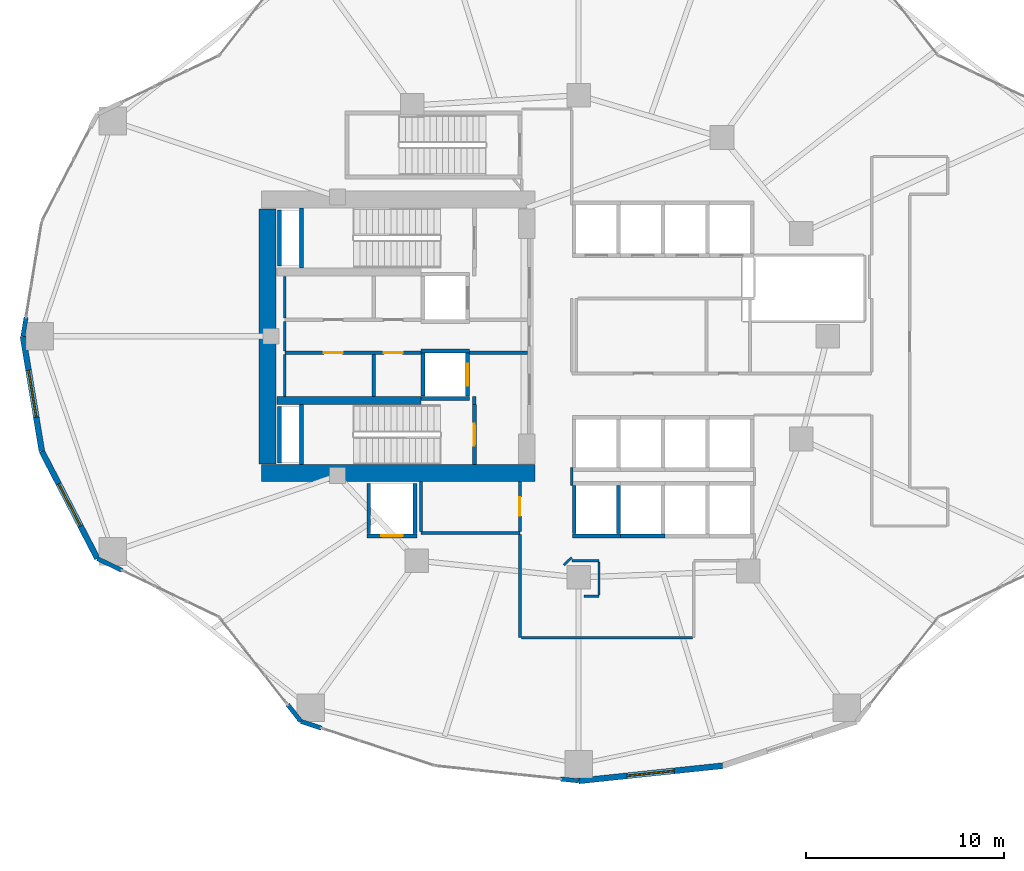
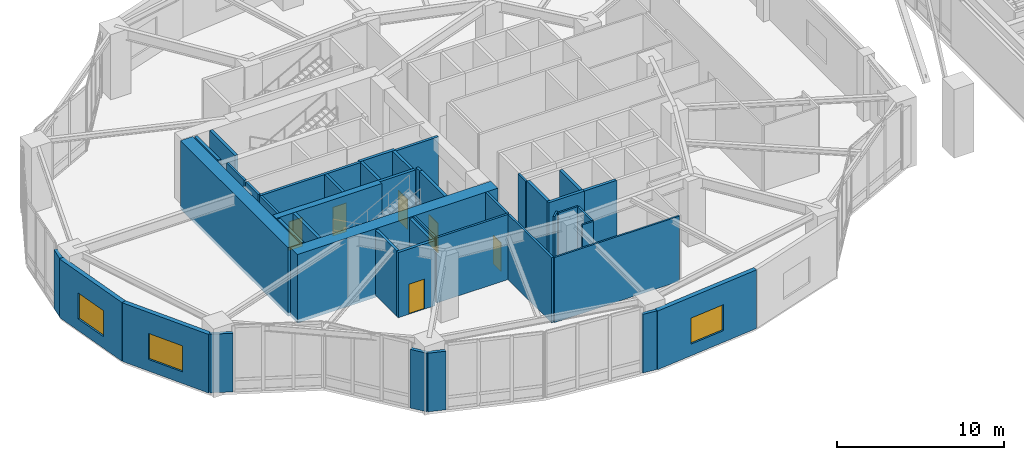
# One storey, part 14 of 24: 44 walls, 6 doors, 3 windows, 9 openings.
"""IFC4 building model written with IfcOpenShell, lengths in metres."""

from ifc_helpers import new_model, si_unit, direction, frame, frame_2d, origin, place, context, subcontext, project, spatial, rectangle, extrude, material, layer, layer_set, type_object, element, fill, save


model = new_model("IFC4")

# Units and contexts
model_context = context("Model", 3, precision=1e-05, world=origin(), true_north=direction((0.0, 1.0)))
body_context = subcontext(model_context, "Body", "Model", "MODEL_VIEW")
ifc_project = project(units=[si_unit("LENGTHUNIT", "METRE"), si_unit("AREAUNIT", "SQUARE_METRE"), si_unit("VOLUMEUNIT", "CUBIC_METRE"), si_unit("PLANEANGLEUNIT", "RADIAN"), si_unit("MASSUNIT", "GRAM", prefix="KILO")], contexts=[model_context])

# Site, building, storey
site_placement = place(None, origin())
site = spatial("IfcSite", under=ifc_project, at=site_placement, CompositionType="ELEMENT")
building_placement = place(site_placement, origin())
building = spatial("IfcBuilding", under=site, at=building_placement, Name="Kolvaren Gate Tower and Convention Centre", CompositionType="ELEMENT")
storey_placement = place(building_placement, frame((0.0, 0.0, 10.0)))
storey = spatial("IfcBuildingStorey", under=building, at=storey_placement, Name="L02", CompositionType="ELEMENT", Elevation=10.0)

# Wall
ifc_material_1 = material(Name="Autoclaved Aerated Masonry Blockwork Class 4 (4.0 MPa)", Category="masonry")
ifc_layer_1 = layer(ifc_material_1, 0.179931640625)
ifc_layer_set_1 = layer_set([ifc_layer_1], Name="Autoclaved Aerated Masonry Blockwork Class 4 (4.0 MPa)")
wall_type_1 = type_object("IfcWallType", Name="ARCH-WL-COMP-180", PredefinedType="SOLIDWALL", material=ifc_layer_set_1)
wall_1_placement = place(storey_placement, frame((24.85009765625, 23.5400390625, 0.0), z_axis=(0.0, 0.0, 1.0), x_axis=(0.0, 1.0, 0.0)))
element("IfcWall", 1, at=wall_1_placement, inside=storey, type_object=wall_type_1, Name="Interior Partition WL-L02-INT-001", PredefinedType="SOLIDWALL", context=body_context, shape_type="SweptSolid", body=[
    extrude(rectangle(XDim=0.419921875, YDim=0.179931640625, at=frame_2d((0.2099609375, 0.0))), origin(), (0.0, 0.0, 1.0), 4.760009765625),
])

# Wall, openings, doors
wall_2_placement = place(storey_placement, frame((15.25, 26.159912109375, 0.0), z_axis=(0.0, 0.0, 1.0), x_axis=(1.0, 0.0, 0.0)))
wall_2 = element("IfcWall", 2, at=wall_2_placement, inside=storey, type_object=wall_type_1, Name="Interior Partition WL-L02-INT-005", PredefinedType="SOLIDWALL", context=body_context, shape_type="SweptSolid", body=[
    extrude(rectangle(XDim=6.89990234375, YDim=0.179931640625, at=frame_2d((3.449951171875, 0.0))), origin(), (0.0, 0.0, 1.0), 4.760009765625),
])
opening_1_placement = place(wall_2_placement, frame((5.02001953125, 0.0, 0.0)))
opening_1 = element("IfcOpeningElement", 3, at=opening_1_placement, cuts=wall_2, Name="Opening DR-01", PredefinedType="OPENING", context=body_context, shape_type="SweptSolid", body=[
    extrude(rectangle(XDim=0.949951171875, YDim=2.10009765625, at=frame_2d((0.47509765625, 1.050048828125))), frame((0.0, 0.099853515625, 0.0), z_axis=(0.0, -1.0, 0.0), x_axis=(1.0, 0.0, 0.0)), (0.0, 0.0, 1.0), 0.199951171875),
])
opening_2_placement = place(wall_2_placement, frame((1.97998046875, 0.0, 0.0)))
opening_2 = element("IfcOpeningElement", 4, at=opening_2_placement, cuts=wall_2, Name="Opening DR-01", PredefinedType="OPENING", context=body_context, shape_type="SweptSolid", body=[
    extrude(rectangle(XDim=0.949951171875, YDim=2.10009765625, at=frame_2d((0.47509765625, 1.050048828125))), frame((0.0, 0.099853515625, 0.0), z_axis=(0.0, -1.0, 0.0), x_axis=(1.0, 0.0, 0.0)), (0.0, 0.0, 1.0), 0.199951171875),
])
ifc_material_2 = material(Name="Painted Architectural Steelwork ASTM A500 Grade C 345 MPa", Category="steel")
door_type_1 = type_object("IfcDoorType", Name="ARCH-DR-RISER-950", OperationType="SINGLE_SWING_RIGHT", PredefinedType="DOOR", material=ifc_material_2)
door_1_placement = place(opening_1_placement, origin())
door_1 = element("IfcDoor", 5, at=door_1_placement, inside=storey, type_object=door_type_1, Name="Domestic Water Meter Closet Door", OperationType="SINGLE_SWING_LEFT", OverallHeight=2.10009765625, OverallWidth=0.949951171875, PredefinedType="DOOR", context=body_context, shape_type="SweptSolid", body=[
    extrude(rectangle(XDim=0.949951171875, YDim=2.10009765625, at=frame_2d((0.47509765625, 1.050048828125))), frame((0.0, 0.02490234375, 0.0), z_axis=(0.0, -1.0, 0.0), x_axis=(1.0, 0.0, 0.0)), (0.0, 0.0, 1.0), 0.050048828125),
])
fill(opening_1, door_1)
door_2_placement = place(opening_2_placement, origin())
door_2 = element("IfcDoor", 6, at=door_2_placement, inside=storey, type_object=door_type_1, Name="Janitor Equipment Store Door", OperationType="SINGLE_SWING_LEFT", OverallHeight=2.10009765625, OverallWidth=0.949951171875, PredefinedType="DOOR", context=body_context, shape_type="SweptSolid", body=[
    extrude(rectangle(XDim=0.949951171875, YDim=2.10009765625, at=frame_2d((0.47509765625, 1.050048828125))), frame((0.0, 0.02490234375, 0.0), z_axis=(0.0, -1.0, 0.0), x_axis=(1.0, 0.0, 0.0)), (0.0, 0.0, 1.0), 0.050048828125),
])
fill(opening_2, door_2)

# Walls
wall_3_placement = place(storey_placement, frame((24.60009765625, 26.159912109375, 0.0), z_axis=(0.0, 0.0, 1.0), x_axis=(1.0, 0.0, 0.0)))
element("IfcWall", 7, at=wall_3_placement, inside=storey, type_object=wall_type_1, Name="Interior Partition WL-L02-INT-005 (2)", PredefinedType="SOLIDWALL", context=body_context, shape_type="SweptSolid", body=[
    extrude(rectangle(XDim=2.927978515625, YDim=0.179931640625, at=frame_2d((1.4638671875, 0.0))), origin(), (0.0, 0.0, 1.0), 4.760009765625),
])
wall_4_placement = place(storey_placement, frame((19.75, 23.9619140625, 0.0), z_axis=(0.0, 0.0, 1.0), x_axis=(0.0, 1.0, 0.0)))
element("IfcWall", 8, at=wall_4_placement, inside=storey, type_object=wall_type_1, Name="Interior Partition WL-L02-INT-007", PredefinedType="SOLIDWALL", context=body_context, shape_type="SweptSolid", body=[
    extrude(rectangle(XDim=2.106201171875, YDim=0.179931640625, at=frame_2d((1.05322265625, 0.0))), origin(), (0.0, 0.0, 1.0), 4.760009765625),
])
ifc_material_3 = material(Name="Fire-Rated Acoustic Gypsum Stud Partition", Category="gypsum")
ifc_layer_2 = layer(ifc_material_3, 0.1201171875)
ifc_layer_set_2 = layer_set([ifc_layer_2], Name="Fire-Rated Acoustic Gypsum Stud Partition")
wall_type_2 = type_object("IfcWallType", Name="ARCH-WL-PART-120", PredefinedType="PARTITIONING", material=ifc_layer_set_2)
wall_5_placement = place(storey_placement, frame((29.780029296875, 15.64990234375, 0.0), z_axis=(0.0, 0.0, 1.0), x_axis=(1.0, 0.0, 0.0)))
element("IfcWall", 9, at=wall_5_placement, inside=storey, type_object=wall_type_2, Name="Interior Partition WL-L02-INT-017", PredefinedType="PARTITIONING", context=body_context, shape_type="SweptSolid", body=[
    extrude(rectangle(XDim=1.369873046875, YDim=0.1201171875, at=frame_2d((0.68505859375, 0.0))), origin(), (0.0, 0.0, 1.0), 4.760009765625),
])
wall_6_placement = place(storey_placement, frame((27.22705078125, 11.75, 0.0), z_axis=(0.0, 0.0, 1.0), x_axis=(1.0, 0.0, 0.0)))
element("IfcWall", 10, at=wall_6_placement, inside=storey, type_object=wall_type_2, Name="Interior Partition WL-L02-INT-020", PredefinedType="PARTITIONING", context=body_context, shape_type="SweptSolid", body=[
    extrude(rectangle(XDim=8.660888671875, YDim=0.1201171875, at=frame_2d((4.33056640625, 0.0))), origin(), (0.0, 0.0, 1.0), 4.760009765625),
])
wall_7_placement = place(storey_placement, frame((29.780029296875, 19.43994140625, 0.0), z_axis=(0.0, 0.0, 1.0), x_axis=(0.0, 1.0, 0.0)))
element("IfcWall", 11, at=wall_7_placement, inside=storey, type_object=wall_type_2, Name="Interior Partition WL-L02-INT-023", PredefinedType="PARTITIONING", context=body_context, shape_type="SweptSolid", body=[
    extrude(rectangle(XDim=0.920166015625, YDim=0.1201171875, at=frame_2d((0.4599609375, 0.0))), origin(), (0.0, 0.0, 1.0), 4.760009765625),
])
wall_8_placement = place(storey_placement, frame((29.366943359375, 15.422119140625, 0.0), z_axis=(0.0, 0.0, 1.0), x_axis=(0.730667420492, 0.682733564893, 0.0)))
element("IfcWall", 12, at=wall_8_placement, inside=storey, type_object=wall_type_2, Name="Interior Partition WL-L02-INT-040", PredefinedType="PARTITIONING", context=body_context, shape_type="SweptSolid", body=[
    extrude(rectangle(XDim=0.5654296875, YDim=0.1201171875, at=frame_2d((0.28271484375, 0.0))), origin(), (0.0, 0.0, 1.0), 4.760009765625),
])
wall_9_placement = place(storey_placement, frame((30.39111328125, 13.85009765625, 0.0), z_axis=(0.0, 0.0, 1.0), x_axis=(1.0, 0.0, 0.0)))
element("IfcWall", 13, at=wall_9_placement, inside=storey, type_object=wall_type_2, Name="Interior Partition WL-L02-INT-041", PredefinedType="PARTITIONING", context=body_context, shape_type="SweptSolid", body=[
    extrude(rectangle(XDim=0.7587890625, YDim=0.1201171875, at=frame_2d((0.37939453125, 0.0))), origin(), (0.0, 0.0, 1.0), 4.760009765625),
])
wall_10_placement = place(storey_placement, frame((31.14990234375, 13.912109375, 0.0), z_axis=(0.0, 0.0, 1.0), x_axis=(0.0, 1.0, 0.0)))
element("IfcWall", 14, at=wall_10_placement, inside=storey, type_object=wall_type_2, Name="Interior Partition WL-L02-INT-042", PredefinedType="PARTITIONING", context=body_context, shape_type="SweptSolid", body=[
    extrude(rectangle(XDim=1.67578125, YDim=0.1201171875, at=frame_2d((0.837890625, 0.0))), origin(), (0.0, 0.0, 1.0), 4.760009765625),
])
ifc_material_4 = material(Name="Bogota Sabana Bush-Hammered Sandstone Cladding", Category="masonry")
ifc_layer_3 = layer(ifc_material_4, 0.219970703125)
ifc_layer_set_3 = layer_set([ifc_layer_3], Name="Bogota Sabana Bush-Hammered Sandstone Cladding")
wall_type_3 = type_object("IfcWallType", Name="ARCH-WL-PIER-220", PredefinedType="SOLIDWALL", material=ifc_layer_set_3)
wall_11_placement = place(storey_placement, frame((2.0, 27.0, 0.0), z_axis=(0.0, 0.0, 1.0), x_axis=(0.162253212939, 0.986749154999, 0.0)))
element("IfcWall", 15, at=wall_11_placement, inside=storey, type_object=wall_type_3, Name="Tower L02 Unitised Curtain Wall CW-POD-GLZ Bay 11 Left Column Pier Wrap", PredefinedType="SOLIDWALL", context=body_context, shape_type="SweptSolid", body=[
    extrude(rectangle(XDim=0.97802734375, YDim=0.219970703125, at=frame_2d((0.489013671875, 0.0))), origin(), (0.0, 0.0, 1.0), 4.282958984375),
])
wall_12_placement = place(storey_placement, frame((5.76806640625, 15.75, 0.0), z_axis=(0.0, 0.0, 1.0), x_axis=(0.90131879969, -0.433156347438, 0.0)))
element("IfcWall", 16, at=wall_12_placement, inside=storey, type_object=wall_type_3, Name="Tower L02 Unitised Curtain Wall CW-POD-GLZ Bay 14 Left Column Pier Wrap", PredefinedType="SOLIDWALL", context=body_context, shape_type="SweptSolid", body=[
    extrude(rectangle(XDim=1.380859375, YDim=0.219970703125, at=frame_2d((0.6904296875, 0.0))), origin(), (0.0, 0.0, 1.0), 4.282958984375),
])
wall_13_placement = place(storey_placement, frame((15.39892578125, 8.36181640625, 0.0), z_axis=(0.0, 0.0, 1.0), x_axis=(0.616528421162, -0.787332652632, 0.0)))
element("IfcWall", 17, at=wall_13_placement, inside=storey, type_object=wall_type_3, Name="Tower L02 Unitised Curtain Wall CW-POD-GLZ Bay 15 Right Column Pier Wrap", PredefinedType="SOLIDWALL", context=body_context, shape_type="SweptSolid", body=[
    extrude(rectangle(XDim=1.076416015625, YDim=0.219970703125, at=frame_2d((0.5380859375, 0.0))), origin(), (0.0, 0.0, 1.0), 4.282958984375),
])
wall_14_placement = place(storey_placement, frame((16.0625, 7.514404296875, 0.0), z_axis=(0.0, 0.0, 1.0), x_axis=(0.949217086672, -0.314621872045, 0.0)))
element("IfcWall", 18, at=wall_14_placement, inside=storey, type_object=wall_type_3, Name="Tower L02 Unitised Curtain Wall CW-POD-GLZ Bay 16 Left Column Pier Wrap", PredefinedType="SOLIDWALL", context=body_context, shape_type="SweptSolid", body=[
    extrude(rectangle(XDim=1.094970703125, YDim=0.219970703125, at=frame_2d((0.54736328125, 0.0))), origin(), (0.0, 0.0, 1.0), 4.282958984375),
])
wall_15_placement = place(storey_placement, frame((29.201416015625, 4.597412109375, 0.0), z_axis=(0.0, 0.0, 1.0), x_axis=(0.994483824972, -0.104890046567, 0.0)))
element("IfcWall", 19, at=wall_15_placement, inside=storey, type_object=wall_type_3, Name="Tower L02 Unitised Curtain Wall CW-POD-GLZ Bay 17 Right Column Pier Wrap", PredefinedType="SOLIDWALL", context=body_context, shape_type="SweptSolid", body=[
    extrude(rectangle(XDim=0.9287109375, YDim=0.219970703125, at=frame_2d((0.46435546875, 0.0))), origin(), (0.0, 0.0, 1.0), 4.282958984375),
])
ifc_layer_4 = layer(ifc_material_1, 0.199951171875)
ifc_layer_set_4 = layer_set([ifc_layer_4], Name="Autoclaved Aerated Masonry Blockwork Class 4 (4.0 MPa)")
wall_type_4 = type_object("IfcWallType", Name="ARCH-WL-SHAFT-200", PredefinedType="SOLIDWALL", material=ifc_layer_set_4)
for number, where, z_axis, x_axis, name in (
    (20, (22.14990234375, 26.260009765625, 0.0), (0.0, 0.0, 1.0), (1.0, 0.0, 0.0), "Elevator FF-02 L02 Fire Shaft Wall N"),
    (21, (22.14990234375, 23.860107421875, 0.0), (0.0, 0.0, 1.0), (1.0, 0.0, 0.0), "Elevator FF-02 L02 Fire Shaft Wall S"),
):
    element("IfcWall", number, at=place(storey_placement, frame(where, z_axis=z_axis, x_axis=x_axis)), inside=storey, type_object=wall_type_4, Name=name, PredefinedType="SOLIDWALL", context=body_context, shape_type="SweptSolid", body=[
        extrude(rectangle(XDim=2.4501953125, YDim=0.199951171875, at=frame_2d((1.22509765625, 0.0))), origin(), (0.0, 0.0, 1.0), 4.760009765625),
    ])
wall_16_placement = place(storey_placement, frame((22.25, 23.969970703125, 0.0), z_axis=(0.0, 0.0, 1.0), x_axis=(0.0, 1.0, 0.0)))
element("IfcWall", 22, at=wall_16_placement, inside=storey, type_object=wall_type_4, Name="Elevator FF-02 L02 Fire Shaft Wall W", PredefinedType="SOLIDWALL", context=body_context, shape_type="SweptSolid", body=[
    extrude(rectangle(XDim=2.179931640625, YDim=0.199951171875, at=frame_2d((1.08984375, 0.0))), origin(), (0.0, 0.0, 1.0), 4.760009765625),
])

# Wall, opening, door
wall_17_placement = place(storey_placement, frame((24.5, 23.969970703125, 0.0), z_axis=(0.0, 0.0, 1.0), x_axis=(0.0, 1.0, 0.0)))
wall_17 = element("IfcWall", 23, at=wall_17_placement, inside=storey, type_object=wall_type_4, Name="Elevator FF-02 L02 Fire Shaft Wall E", PredefinedType="SOLIDWALL", context=body_context, shape_type="SweptSolid", body=[
    extrude(rectangle(XDim=2.179931640625, YDim=0.199951171875, at=frame_2d((1.08984375, 0.0))), origin(), (0.0, 0.0, 1.0), 4.760009765625),
])
opening_3_placement = place(wall_17_placement, frame((0.5400390625, 0.0, 0.0)))
opening_3 = element("IfcOpeningElement", 24, at=opening_3_placement, cuts=wall_17, Name="Opening LD", PredefinedType="OPENING", context=body_context, shape_type="SweptSolid", body=[
    extrude(rectangle(XDim=1.10009765625, YDim=2.199951171875, at=frame_2d((0.550048828125, 1.10009765625))), frame((0.0, 0.10986328125, 0.0), z_axis=(0.0, -1.0, 0.0), x_axis=(1.0, 0.0, 0.0)), (0.0, 0.0, 1.0), 0.219970703125),
])
ifc_material_5 = material(Name="Brushed Stainless Steel Grade 316L", Category="steel")
door_type_2 = type_object("IfcDoorType", Name="ARCH-DR-LIFT-1100", OperationType="SLIDING_TO_LEFT", PredefinedType="DOOR", material=ifc_material_5)
door_3_placement = place(opening_3_placement, origin())
door_3 = element("IfcDoor", 25, at=door_3_placement, inside=storey, type_object=door_type_2, Name="Elevator FF-02 L02 Sliding Landing Door", OperationType="SLIDING_TO_LEFT", OverallHeight=2.199951171875, OverallWidth=1.10009765625, PredefinedType="DOOR", context=body_context, shape_type="SweptSolid", body=[
    extrude(rectangle(XDim=1.10009765625, YDim=2.199951171875, at=frame_2d((0.550048828125, 1.10009765625))), frame((0.0, 0.02490234375, 0.0), z_axis=(0.0, -1.0, 0.0), x_axis=(1.0, 0.0, 0.0)), (0.0, 0.0, 1.0), 0.050048828125),
])
fill(opening_3, door_3)

wall_18_placement = place(storey_placement, frame((19.39990234375, 16.89990234375, 0.0), z_axis=(0.0, 0.0, 1.0), x_axis=(1.0, 0.0, 0.0)))
wall_18 = element("IfcWall", 26, at=wall_18_placement, inside=storey, type_object=wall_type_4, Name="Elevator SV-01 L02 Fire Shaft Wall S", PredefinedType="SOLIDWALL", context=body_context, shape_type="SweptSolid", body=[
    extrude(rectangle(XDim=2.550048828125, YDim=0.199951171875, at=frame_2d((1.27490234375, 0.0))), origin(), (0.0, 0.0, 1.0), 4.760009765625),
])
opening_4_placement = place(wall_18_placement, frame((0.72509765625, 0.0, 0.0)))
opening_4 = element("IfcOpeningElement", 27, at=opening_4_placement, cuts=wall_18, Name="Opening LD", PredefinedType="OPENING", context=body_context, shape_type="SweptSolid", body=[
    extrude(rectangle(XDim=1.10009765625, YDim=2.199951171875, at=frame_2d((0.550048828125, 1.10009765625))), frame((0.0, 0.10986328125, 0.0), z_axis=(0.0, -1.0, 0.0), x_axis=(1.0, 0.0, 0.0)), (0.0, 0.0, 1.0), 0.219970703125),
])
door_4_placement = place(opening_4_placement, origin())
door_4 = element("IfcDoor", 28, at=door_4_placement, inside=storey, type_object=door_type_2, Name="Elevator SV-01 L02 Sliding Landing Door", OperationType="SLIDING_TO_LEFT", OverallHeight=2.199951171875, OverallWidth=1.10009765625, PredefinedType="DOOR", context=body_context, shape_type="SweptSolid", body=[
    extrude(rectangle(XDim=1.10009765625, YDim=2.199951171875, at=frame_2d((0.550048828125, 1.10009765625))), frame((0.0, 0.02490234375, 0.0), z_axis=(0.0, -1.0, 0.0), x_axis=(1.0, 0.0, 0.0)), (0.0, 0.0, 1.0), 0.050048828125),
])
fill(opening_4, door_4)

# Walls
for number, where, z_axis, x_axis, name in (
    (29, (19.5, 17.010009765625, 0.0), (0.0, 0.0, 1.0), (0.0, 1.0, 0.0), "Elevator SV-01 L02 Fire Shaft Wall W"),
    (30, (21.85009765625, 17.010009765625, 0.0), (0.0, 0.0, 1.0), (0.0, 1.0, 0.0), "Elevator SV-01 L02 Fire Shaft Wall E"),
):
    element("IfcWall", number, at=place(storey_placement, frame(where, z_axis=z_axis, x_axis=x_axis)), inside=storey, type_object=wall_type_4, Name=name, PredefinedType="SOLIDWALL", context=body_context, shape_type="SweptSolid", body=[
        extrude(rectangle(XDim=2.530029296875, YDim=0.199951171875, at=frame_2d((1.26513671875, 0.0))), origin(), (0.0, 0.0, 1.0), 4.760009765625),
    ])
wall_19_placement = place(storey_placement, frame((29.800048828125, 16.89990234375, 0.0), z_axis=(0.0, 0.0, 1.0), x_axis=(1.0, 0.0, 0.0)))
element("IfcWall", 31, at=wall_19_placement, inside=storey, type_object=wall_type_4, Name="Elevator PL-05 L02 Fire Shaft Wall S", PredefinedType="SOLIDWALL", context=body_context, shape_type="SweptSolid", body=[
    extrude(rectangle(XDim=2.449951171875, YDim=0.199951171875, at=frame_2d((1.22509765625, 0.0))), origin(), (0.0, 0.0, 1.0), 4.760009765625),
])
for number, where, z_axis, x_axis, name in (
    (32, (29.89990234375, 17.010009765625, 0.0), (0.0, 0.0, 1.0), (0.0, 1.0, 0.0), "Elevator PL-05 L02 Fire Shaft Wall W"),
    (33, (32.14990234375, 17.010009765625, 0.0), (0.0, 0.0, 1.0), (0.0, 1.0, 0.0), "Elevator PL-05 L02 Fire Shaft Wall E"),
):
    element("IfcWall", number, at=place(storey_placement, frame(where, z_axis=z_axis, x_axis=x_axis)), inside=storey, type_object=wall_type_4, Name=name, PredefinedType="SOLIDWALL", context=body_context, shape_type="SweptSolid", body=[
        extrude(rectangle(XDim=2.429931640625, YDim=0.199951171875, at=frame_2d((1.21484375, 0.0))), origin(), (0.0, 0.0, 1.0), 4.760009765625),
    ])
wall_20_placement = place(storey_placement, frame((32.25, 16.89990234375, 0.0), z_axis=(0.0, 0.0, 1.0), x_axis=(1.0, 0.0, 0.0)))
element("IfcWall", 34, at=wall_20_placement, inside=storey, type_object=wall_type_4, Name="Elevator PL-06 L02 Fire Shaft Wall S", PredefinedType="SOLIDWALL", context=body_context, shape_type="SweptSolid", body=[
    extrude(rectangle(XDim=2.25, YDim=0.199951171875, at=frame_2d((1.125, 0.0))), origin(), (0.0, 0.0, 1.0), 4.760009765625),
])
for number, where, z_axis, x_axis, name in (
    (35, (14.989990234375, 30.550048828125, 0.0), (0.0, 0.0, 1.0), (0.0, 1.0, 0.0), "Vertical Shaft HVR L02 EI-120 Enclosure Wall W"),
    (36, (14.989990234375, 20.60009765625, 0.0), (0.0, 0.0, 1.0), (0.0, 1.0, 0.0), "Vertical Shaft MPR L02 EI-120 Enclosure Wall W"),
):
    element("IfcWall", number, at=place(storey_placement, frame(where, z_axis=z_axis, x_axis=x_axis)), inside=storey, type_object=wall_type_4, Name=name, PredefinedType="SOLIDWALL", context=body_context, shape_type="SweptSolid", body=[
        extrude(rectangle(XDim=2.849853515625, YDim=0.199951171875, at=frame_2d((1.4248046875, 0.0))), origin(), (0.0, 0.0, 1.0), 4.760009765625),
    ])

# Wall, opening, window
ifc_material_6 = material(Name="Piedmont Cream Honed Limestone Cladding", Category="masonry")
ifc_layer_5 = layer(ifc_material_6, 0.300048828125)
ifc_layer_set_5 = layer_set([ifc_layer_5], Name="Piedmont Cream Honed Limestone Cladding")
wall_type_5 = type_object("IfcWallType", Name="ARCH-WL-STONE-300", PredefinedType="SOLIDWALL", material=ifc_layer_set_5)
wall_21_placement = place(storey_placement, frame((2.0, 27.0, 0.0), z_axis=(0.0, 0.0, 1.0), x_axis=(0.162366057843, -0.98673059305, 0.0)))
wall_21 = element("IfcWall", 37, at=wall_21_placement, inside=storey, type_object=wall_type_5, Name="Tower L02 Honed Stone Spandrel Wall EW-12", PredefinedType="SOLIDWALL", context=body_context, shape_type="SweptSolid", body=[
    extrude(rectangle(XDim=5.90185546875, YDim=0.300048828125, at=frame_2d((2.950927734375, 0.0))), origin(), (0.0, 0.0, 1.0), 4.282958984375),
])
opening_5_placement = place(wall_21_placement, frame((1.7509765625, 0.0, 0.85009765625)))
opening_5 = element("IfcOpeningElement", 38, at=opening_5_placement, cuts=wall_21, Name="Opening W-01", PredefinedType="OPENING", context=body_context, shape_type="SweptSolid", body=[
    extrude(rectangle(XDim=2.39990234375, YDim=1.89990234375, at=frame_2d((1.199951171875, 0.949951171875))), frame((0.0, 0.159912109375, 0.0), z_axis=(0.0, -1.0, 0.0), x_axis=(1.0, 0.0, 0.0)), (0.0, 0.0, 1.0), 0.320068359375),
])
ifc_material_7 = material(Name="Low-E Triple Insulated Glazing Unit 44 mm", Category="glass")
window_type = type_object("IfcWindowType", Name="ARCH-WN-OFF-2400", PartitioningType="SINGLE_PANEL", PredefinedType="WINDOW", material=ifc_material_7)
window_1_placement = place(opening_5_placement, origin())
window_1 = element("IfcWindow", 39, at=window_1_placement, inside=storey, type_object=window_type, Name="Tower L02 Punched Stone Facade Window W-12", OverallHeight=1.89990234375, OverallWidth=2.39990234375, PartitioningType="SINGLE_PANEL", PredefinedType="WINDOW", context=body_context, shape_type="SweptSolid", body=[
    extrude(rectangle(XDim=2.39990234375, YDim=1.89990234375, at=frame_2d((1.199951171875, 0.949951171875))), frame((0.0, 0.030029296875, 0.0), z_axis=(0.0, -1.0, 0.0), x_axis=(1.0, 0.0, 0.0)), (0.0, 0.0, 1.0), 0.06005859375),
])
fill(opening_5, window_1)

wall_22_placement = place(storey_placement, frame((2.958251953125, 21.176513671875, 0.0), z_axis=(0.0, 0.0, 1.0), x_axis=(0.459809804413, -0.88801742312, 0.0)))
wall_22 = element("IfcWall", 40, at=wall_22_placement, inside=storey, type_object=wall_type_5, Name="Tower L02 Honed Stone Spandrel Wall EW-13", PredefinedType="SOLIDWALL", context=body_context, shape_type="SweptSolid", body=[
    extrude(rectangle(XDim=6.11083984375, YDim=0.300048828125, at=frame_2d((3.055419921875, 0.0))), origin(), (0.0, 0.0, 1.0), 4.282958984375),
])
opening_6_placement = place(wall_22_placement, frame((1.85498046875, 0.0, 0.85009765625)))
opening_6 = element("IfcOpeningElement", 41, at=opening_6_placement, cuts=wall_22, Name="Opening W-01", PredefinedType="OPENING", context=body_context, shape_type="SweptSolid", body=[
    extrude(rectangle(XDim=2.39990234375, YDim=1.89990234375, at=frame_2d((1.199951171875, 0.949951171875))), frame((0.0, 0.159912109375, 0.0), z_axis=(0.0, -1.0, 0.0), x_axis=(1.0, 0.0, 0.0)), (0.0, 0.0, 1.0), 0.320068359375),
])
window_2_placement = place(opening_6_placement, origin())
window_2 = element("IfcWindow", 42, at=window_2_placement, inside=storey, type_object=window_type, Name="Tower L02 Punched Stone Facade Window W-13", OverallHeight=1.89990234375, OverallWidth=2.39990234375, PartitioningType="SINGLE_PANEL", PredefinedType="WINDOW", context=body_context, shape_type="SweptSolid", body=[
    extrude(rectangle(XDim=2.39990234375, YDim=1.89990234375, at=frame_2d((1.199951171875, 0.949951171875))), frame((0.0, 0.030029296875, 0.0), z_axis=(0.0, -1.0, 0.0), x_axis=(1.0, 0.0, 0.0)), (0.0, 0.0, 1.0), 0.06005859375),
])
fill(opening_6, window_2)

wall_23_placement = place(storey_placement, frame((30.125, 4.5, 0.0), z_axis=(0.0, 0.0, 1.0), x_axis=(0.994500334317, 0.104733399844, 0.0)))
wall_23 = element("IfcWall", 43, at=wall_23_placement, inside=storey, type_object=wall_type_5, Name="Tower L02 Honed Stone Spandrel Wall EW-18", PredefinedType="SOLIDWALL", context=body_context, shape_type="SweptSolid", body=[
    extrude(rectangle(XDim=7.319580078125, YDim=0.300048828125, at=frame_2d((3.65966796875, 0.0))), origin(), (0.0, 0.0, 1.0), 4.282958984375),
])
opening_7_placement = place(wall_23_placement, frame((2.4599609375, 0.0, 0.85009765625)))
opening_7 = element("IfcOpeningElement", 44, at=opening_7_placement, cuts=wall_23, Name="Opening W-01", PredefinedType="OPENING", context=body_context, shape_type="SweptSolid", body=[
    extrude(rectangle(XDim=2.39990234375, YDim=1.89990234375, at=frame_2d((1.199951171875, 0.949951171875))), frame((0.0, 0.159912109375, 0.0), z_axis=(0.0, -1.0, 0.0), x_axis=(1.0, 0.0, 0.0)), (0.0, 0.0, 1.0), 0.320068359375),
])
window_3_placement = place(opening_7_placement, origin())
window_3 = element("IfcWindow", 45, at=window_3_placement, inside=storey, type_object=window_type, Name="Tower L02 Punched Stone Facade Window W-18", OverallHeight=1.89990234375, OverallWidth=2.39990234375, PartitioningType="SINGLE_PANEL", PredefinedType="WINDOW", context=body_context, shape_type="SweptSolid", body=[
    extrude(rectangle(XDim=2.39990234375, YDim=1.89990234375, at=frame_2d((1.199951171875, 0.949951171875))), frame((0.0, 0.030029296875, 0.0), z_axis=(0.0, -1.0, 0.0), x_axis=(1.0, 0.0, 0.0)), (0.0, 0.0, 1.0), 0.06005859375),
])
fill(opening_7, window_3)

# Walls
ifc_material_8 = material(Name="Moisture-Resistant Cement-Board Acoustic Partition", Category="gypsum")
ifc_layer_6 = layer(ifc_material_8, 0.14990234375)
ifc_layer_set_6 = layer_set([ifc_layer_6], Name="Moisture-Resistant Cement-Board Acoustic Partition")
wall_type_6 = type_object("IfcWallType", Name="ARCH-WL-WET-150", PredefinedType="PARTITIONING", material=ifc_layer_set_6)
wall_24_placement = place(storey_placement, frame((15.25, 23.9619140625, 0.0), z_axis=(0.0, 0.0, 1.0), x_axis=(0.0, 1.0, 0.0)))
element("IfcWall", 46, at=wall_24_placement, inside=storey, type_object=wall_type_6, Name="Interior Partition WL-L02-INT-006", PredefinedType="PARTITIONING", context=body_context, shape_type="SweptSolid", body=[
    extrude(rectangle(XDim=2.106201171875, YDim=0.14990234375, at=frame_2d((1.05322265625, 0.0))), origin(), (0.0, 0.0, 1.0), 4.760009765625),
])
wall_25_placement = place(storey_placement, frame((15.25, 26.251953125, 0.0), z_axis=(0.0, 0.0, 1.0), x_axis=(0.0, 1.0, 0.0)))
element("IfcWall", 47, at=wall_25_placement, inside=storey, type_object=wall_type_6, Name="Interior Partition WL-L02-INT-006 (2)", PredefinedType="PARTITIONING", context=body_context, shape_type="SweptSolid", body=[
    extrude(rectangle(XDim=1.49609375, YDim=0.14990234375, at=frame_2d((0.748046875, 0.0))), origin(), (0.0, 0.0, 1.0), 4.760009765625),
])
wall_26_placement = place(storey_placement, frame((15.25, 27.931884765625, 0.0), z_axis=(0.0, 0.0, 1.0), x_axis=(0.0, 1.0, 0.0)))
element("IfcWall", 48, at=wall_26_placement, inside=storey, type_object=wall_type_6, Name="Interior Partition WL-L02-INT-006 (3)", PredefinedType="PARTITIONING", context=body_context, shape_type="SweptSolid", body=[
    extrude(rectangle(XDim=2.106201171875, YDim=0.14990234375, at=frame_2d((1.05322265625, 0.0))), origin(), (0.0, 0.0, 1.0), 4.760009765625),
])
wall_27_placement = place(storey_placement, frame((22.14990234375, 17.050048828125, 0.0), z_axis=(0.0, 0.0, 1.0), x_axis=(1.0, 0.0, 0.0)))
element("IfcWall", 49, at=wall_27_placement, inside=storey, type_object=wall_type_6, Name="Interior Partition WL-L02-INT-009", PredefinedType="PARTITIONING", context=body_context, shape_type="SweptSolid", body=[
    extrude(rectangle(XDim=5.0, YDim=0.14990234375, at=frame_2d((2.5, 0.0))), origin(), (0.0, 0.0, 1.0), 4.760009765625),
])
wall_28_placement = place(storey_placement, frame((22.14990234375, 17.126953125, 0.0), z_axis=(0.0, 0.0, 1.0), x_axis=(0.0, 1.0, 0.0)))
element("IfcWall", 50, at=wall_28_placement, inside=storey, type_object=wall_type_6, Name="Interior Partition WL-L02-INT-010", PredefinedType="PARTITIONING", context=body_context, shape_type="SweptSolid", body=[
    extrude(rectangle(XDim=2.52099609375, YDim=0.14990234375, at=frame_2d((1.260498046875, 0.0))), origin(), (0.0, 0.0, 1.0), 4.760009765625),
])
wall_29_placement = place(storey_placement, frame((27.14990234375, 11.75, 0.0), z_axis=(0.0, 0.0, 1.0), x_axis=(0.0, 1.0, 0.0)))
element("IfcWall", 51, at=wall_29_placement, inside=storey, type_object=wall_type_6, Name="Interior Partition WL-L02-INT-011", PredefinedType="PARTITIONING", context=body_context, shape_type="SweptSolid", body=[
    extrude(rectangle(XDim=5.222900390625, YDim=0.14990234375, at=frame_2d((2.611328125, 0.0))), origin(), (0.0, 0.0, 1.0), 4.760009765625),
])

# Wall, opening, door
wall_30_placement = place(storey_placement, frame((27.14990234375, 17.126953125, 0.0), z_axis=(0.0, 0.0, 1.0), x_axis=(0.0, 1.0, 0.0)))
wall_30 = element("IfcWall", 52, at=wall_30_placement, inside=storey, type_object=wall_type_6, Name="Interior Partition WL-L02-INT-011 (2)", PredefinedType="PARTITIONING", context=body_context, shape_type="SweptSolid", body=[
    extrude(rectangle(XDim=2.52099609375, YDim=0.14990234375, at=frame_2d((1.260498046875, 0.0))), origin(), (0.0, 0.0, 1.0), 4.760009765625),
])
opening_8_placement = place(wall_30_placement, frame((0.785400390625, 0.0, 0.0)))
opening_8 = element("IfcOpeningElement", 53, at=opening_8_placement, cuts=wall_30, Name="Opening DR-01", PredefinedType="OPENING", context=body_context, shape_type="SweptSolid", body=[
    extrude(rectangle(XDim=0.949951171875, YDim=2.10009765625, at=frame_2d((0.47509765625, 1.050048828125))), frame((0.0, 0.0849609375, 0.0), z_axis=(0.0, -1.0, 0.0), x_axis=(1.0, 0.0, 0.0)), (0.0, 0.0, 1.0), 0.169921875),
])
door_5_placement = place(opening_8_placement, origin())
door_5 = element("IfcDoor", 54, at=door_5_placement, inside=storey, type_object=door_type_1, Name="West Linen and Supply Store Door", OperationType="SINGLE_SWING_RIGHT", OverallHeight=2.10009765625, OverallWidth=0.949951171875, PredefinedType="DOOR", context=body_context, shape_type="SweptSolid", body=[
    extrude(rectangle(XDim=0.949951171875, YDim=2.10009765625, at=frame_2d((0.47509765625, 1.050048828125))), frame((0.0, 0.02490234375, 0.0), z_axis=(0.0, -1.0, 0.0), x_axis=(1.0, 0.0, 0.0)), (0.0, 0.0, 1.0), 0.050048828125),
])
fill(opening_8, door_5)

# Walls
ifc_material_9 = material(Name="Concrete C50/60", Category="concrete")
ifc_layer_7 = layer(ifc_material_9, 0.419921875)
ifc_layer_set_7 = layer_set([ifc_layer_7], Name="Concrete C50/60")
wall_type_7 = type_object("IfcWallType", Name="STR-WL-CONV-420", PredefinedType="SHEAR", material=ifc_layer_set_7)
wall_31_placement = place(storey_placement, frame((14.85009765625, 23.75, -0.260009765625), z_axis=(0.0, 0.0, 1.0), x_axis=(1.0, 0.0, 0.0)))
element("IfcWall", 55, at=wall_31_placement, inside=storey, type_object=wall_type_7, Name="Tower L02 Offset Core Shear Wall WS", PredefinedType="SHEAR", context=body_context, shape_type="SweptSolid", body=[
    extrude(rectangle(XDim=7.2998046875, YDim=0.419921875, at=frame_2d((3.64990234375, 0.0))), origin(), (0.0, 0.0, 1.0), 5.02001953125),
])
ifc_material_10 = material(Name="Concrete C70/85", Category="concrete")
ifc_layer_8 = layer(ifc_material_10, 0.85009765625)
ifc_layer_set_8 = layer_set([ifc_layer_8], Name="Concrete C70/85")
wall_type_8 = type_object("IfcWallType", Name="STR-WL-CORE-850", PredefinedType="SHEAR", material=ifc_layer_set_8)
wall_32_placement = place(storey_placement, frame((14.074951171875, 20.074951171875, -0.260009765625), z_axis=(0.0, 0.0, 1.0), x_axis=(1.0, 0.0, 0.0)))
element("IfcWall", 56, at=wall_32_placement, inside=storey, type_object=wall_type_8, Name="Tower L02 Offset Core Shear Wall S", PredefinedType="SHEAR", context=body_context, shape_type="SweptSolid", body=[
    extrude(rectangle(XDim=13.85009765625, YDim=0.85009765625, at=frame_2d((6.925048828125, 0.0))), origin(), (0.0, 0.0, 1.0), 5.02001953125),
])
wall_33_placement = place(storey_placement, frame((14.375, 20.550048828125, -0.260009765625), z_axis=(0.0, 0.0, 1.0), x_axis=(0.0, 1.0, 0.0)))
element("IfcWall", 57, at=wall_33_placement, inside=storey, type_object=wall_type_8, Name="Tower L02 Offset Core Shear Wall W", PredefinedType="SHEAR", context=body_context, shape_type="SweptSolid", body=[
    extrude(rectangle(XDim=12.89990234375, YDim=0.85009765625, at=frame_2d((6.449951171875, 0.0))), origin(), (0.0, 0.0, 1.0), 5.02001953125),
])
ifc_layer_9 = layer(ifc_material_9, 0.199951171875)
ifc_layer_set_9 = layer_set([ifc_layer_9], Name="Concrete C50/60")
wall_type_9 = type_object("IfcWallType", Name="STR-WL-SHAFT-200", PredefinedType="SHEAR", material=ifc_layer_set_9)
wall_34_placement = place(storey_placement, frame((16.10009765625, 30.4619140625, -0.260009765625), z_axis=(0.0, 0.0, 1.0), x_axis=(0.0, 1.0, 0.0)))
element("IfcWall", 58, at=wall_34_placement, inside=storey, type_object=wall_type_9, Name="Tower North Exit Stair ST-T1 L02 Structural Shear Enclosure Wall FAR", PredefinedType="SHEAR", context=body_context, shape_type="SweptSolid", body=[
    extrude(rectangle(XDim=3.0361328125, YDim=0.199951171875, at=frame_2d((1.51806640625, 0.0))), origin(), (0.0, 0.0, 1.0), 5.02001953125),
])

# Wall, opening, door
wall_35_placement = place(storey_placement, frame((24.85009765625, 20.501953125, -0.260009765625), z_axis=(0.0, 0.0, 1.0), x_axis=(0.0, 1.0, 0.0)))
wall_35 = element("IfcWall", 59, at=wall_35_placement, inside=storey, type_object=wall_type_9, Name="Tower South Exit Stair ST-T2 L02 Structural Shear Enclosure Wall NEAR", PredefinedType="SHEAR", context=body_context, shape_type="SweptSolid", body=[
    extrude(rectangle(XDim=3.0380859375, YDim=0.199951171875, at=frame_2d((1.51904296875, 0.0))), origin(), (0.0, 0.0, 1.0), 5.02001953125),
])
opening_9_placement = place(wall_35_placement, frame((0.968994140625, 0.0, 0.260009765625)))
opening_9 = element("IfcOpeningElement", 60, at=opening_9_placement, cuts=wall_35, Name="Opening DS-01", PredefinedType="OPENING", context=body_context, shape_type="SweptSolid", body=[
    extrude(rectangle(XDim=1.10009765625, YDim=2.14990234375, at=frame_2d((0.550048828125, 1.074951171875))), frame((0.0, 0.10986328125, 0.0), z_axis=(0.0, -1.0, 0.0), x_axis=(1.0, 0.0, 0.0)), (0.0, 0.0, 1.0), 0.219970703125),
])
door_type_3 = type_object("IfcDoorType", Name="ARCH-DR-STAIR-1100", OperationType="SINGLE_SWING_LEFT", PredefinedType="DOOR", material=ifc_material_2)
door_6_placement = place(opening_9_placement, origin())
door_6 = element("IfcDoor", 61, at=door_6_placement, inside=storey, type_object=door_type_3, Name="Tower South Exit Stair ST-T2 L02 Fire Exit Stair Door", OperationType="SINGLE_SWING_RIGHT", OverallHeight=2.14990234375, OverallWidth=1.10009765625, PredefinedType="DOOR", context=body_context, shape_type="SweptSolid", body=[
    extrude(rectangle(XDim=1.10009765625, YDim=2.14990234375, at=frame_2d((0.550048828125, 1.074951171875))), frame((0.0, 0.02490234375, 0.0), z_axis=(0.0, -1.0, 0.0), x_axis=(1.0, 0.0, 0.0)), (0.0, 0.0, 1.0), 0.050048828125),
])
fill(opening_9, door_6)

# Wall
wall_36_placement = place(storey_placement, frame((16.10009765625, 20.501953125, -0.260009765625), z_axis=(0.0, 0.0, 1.0), x_axis=(0.0, 1.0, 0.0)))
element("IfcWall", 62, at=wall_36_placement, inside=storey, type_object=wall_type_9, Name="Tower South Exit Stair ST-T2 L02 Structural Shear Enclosure Wall FAR", PredefinedType="SHEAR", context=body_context, shape_type="SweptSolid", body=[
    extrude(rectangle(XDim=3.0361328125, YDim=0.199951171875, at=frame_2d((1.51806640625, 0.0))), origin(), (0.0, 0.0, 1.0), 5.02001953125),
])

save(model, "model.ifc")
